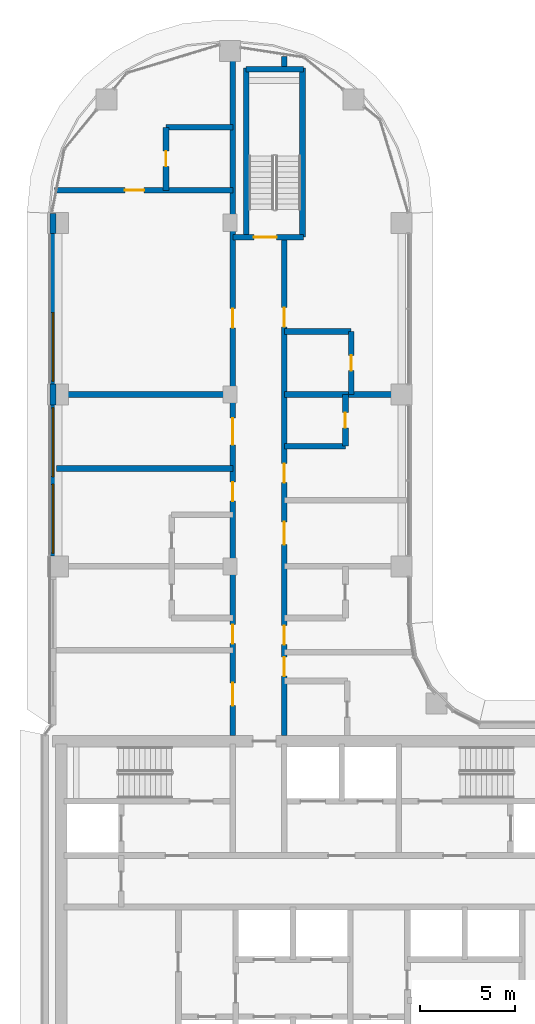
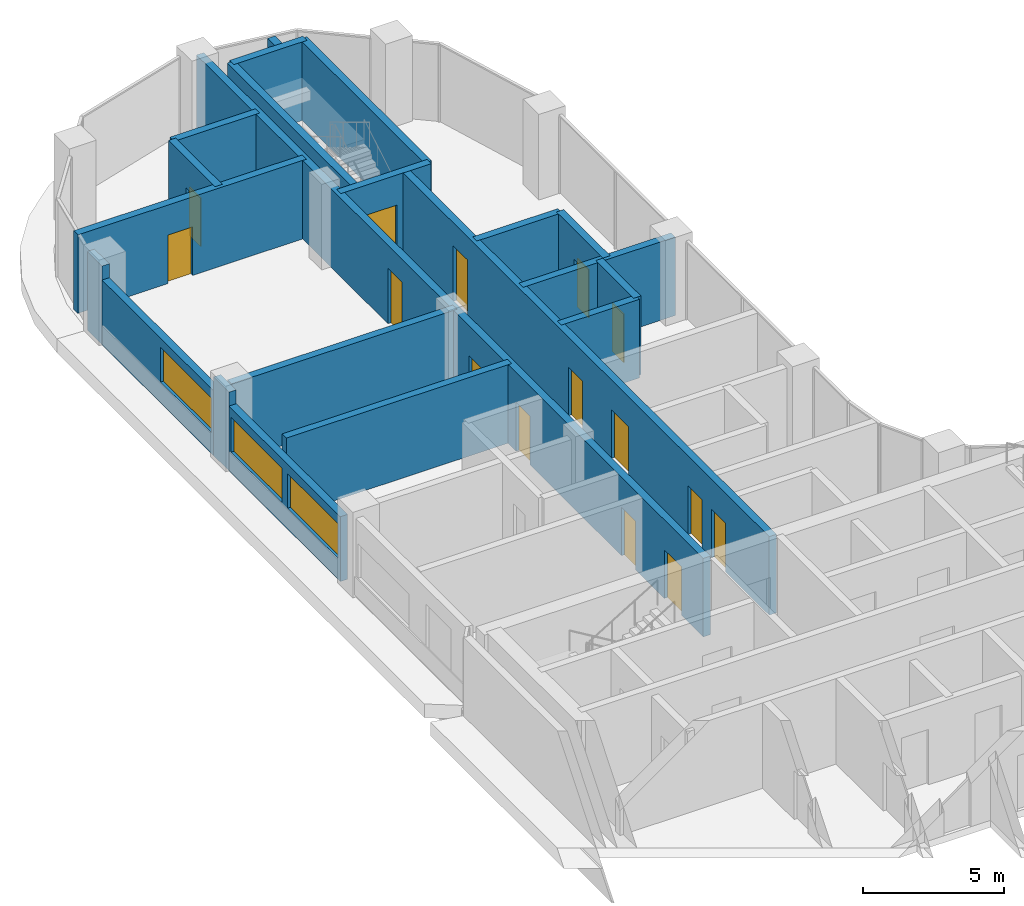
# One storey, part 13 of 24: 21 walls, 15 doors, 3 windows, 18 openings.
"""IFC4 building model written with IfcOpenShell, lengths in metres."""

from ifc_helpers import new_model, si_unit, direction, frame, frame_2d, origin, place, context, subcontext, project, spatial, rectangle, extrude, material, layer, layer_set, type_object, element, fill, save


model = new_model("IFC4")

# Units and contexts
model_context = context("Model", 3, precision=1e-05, world=origin(), true_north=direction((0.0, 1.0)))
body_context = subcontext(model_context, "Body", "Model", "MODEL_VIEW")
ifc_project = project(units=[si_unit("LENGTHUNIT", "METRE"), si_unit("AREAUNIT", "SQUARE_METRE"), si_unit("VOLUMEUNIT", "CUBIC_METRE"), si_unit("PLANEANGLEUNIT", "RADIAN"), si_unit("MASSUNIT", "GRAM", prefix="KILO")], contexts=[model_context])

# Site, building, storey
site_placement = place(None, origin())
site = spatial("IfcSite", under=ifc_project, at=site_placement, CompositionType="ELEMENT")
building_placement = place(site_placement, origin())
building = spatial("IfcBuilding", under=site, at=building_placement, Name="Ogive Portal Towers", CompositionType="ELEMENT")
storey_placement = place(building_placement, frame((0.0, 0.0, 153.300048828125)))
storey = spatial("IfcBuildingStorey", under=building, at=storey_placement, Name="L37", CompositionType="ELEMENT", Elevation=153.300048828125)

# Wall
ifc_material_1 = material(Name="Limestone cladding on lightweight block wall", Category="masonry")
ifc_layer_1 = layer(ifc_material_1, 0.300048828125)
ifc_layer_set_1 = layer_set([ifc_layer_1], Name="EXTERNAL WALL 300 STONE")
wall_type_1 = type_object("IfcWallType", Name="EXTERNAL WALL 300 STONE", PredefinedType="SOLIDWALL", material=ifc_layer_set_1)
wall_1_placement = place(storey_placement, frame((31.22509765625, 66.9921875, 0.0), z_axis=(0.0, 0.0, 1.0), x_axis=(0.0, -1.0, 0.0)))
element("IfcWall", 1, at=wall_1_placement, inside=storey, type_object=wall_type_1, Name="A:L37:f13:r0:wall", PredefinedType="SOLIDWALL", context=body_context, shape_type="SweptSolid", body=[
    extrude(rectangle(XDim=1.042236328125, YDim=0.300048828125, at=frame_2d((0.52099609375, 0.0))), origin(), (0.0, 0.0, 1.0), 3.39990234375),
])

# Wall, opening, window
wall_2_placement = place(storey_placement, frame((31.22509765625, 65.949951171875, 0.0), z_axis=(0.0, 0.0, 1.0), x_axis=(0.0, -1.0, 0.0)))
wall_2 = element("IfcWall", 2, at=wall_2_placement, inside=storey, type_object=wall_type_1, Name="A:L37:f13:r0:wall1", PredefinedType="SOLIDWALL", context=body_context, shape_type="SweptSolid", body=[
    extrude(rectangle(XDim=7.89990234375, YDim=0.300048828125, at=frame_2d((3.949951171875, 0.0))), origin(), (0.0, 0.0, 1.0), 2.800048828125),
])
opening_1_placement = place(wall_2_placement, frame((4.14990234375, 0.0, 0.89990234375)))
opening_1 = element("IfcOpeningElement", 3, at=opening_1_placement, cuts=wall_2, Name="Opening WN12", PredefinedType="OPENING", context=body_context, shape_type="SweptSolid", body=[
    extrude(rectangle(XDim=3.60009765625, YDim=1.5, at=frame_2d((1.800048828125, 0.75))), frame((0.0, 0.16015625, 0.0), z_axis=(0.0, -1.0, 0.0), x_axis=(1.0, 0.0, 0.0)), (0.0, 0.0, 1.0), 0.320068359375),
])
ifc_material_2 = material(Name="Glass, clear low-iron insulated glazing", Category="glass")
window_type = type_object("IfcWindowType", Name="WINDOW RIBBON 3600x1500", PartitioningType="TRIPLE_PANEL_VERTICAL", PredefinedType="WINDOW", material=ifc_material_2)
window_1_placement = place(opening_1_placement, origin())
window_1 = element("IfcWindow", 4, at=window_1_placement, inside=storey, type_object=window_type, Name="A:L37:f13:r0:w1", OverallHeight=1.5, OverallWidth=3.60009765625, PartitioningType="SINGLE_PANEL", PredefinedType="WINDOW", context=body_context, shape_type="SweptSolid", body=[
    extrude(rectangle(XDim=3.60009765625, YDim=1.5, at=frame_2d((1.800048828125, 0.75))), frame((0.0, 0.030029296875, 0.0), z_axis=(0.0, -1.0, 0.0), x_axis=(1.0, 0.0, 0.0)), (0.0, 0.0, 1.0), 0.06005859375),
])
fill(opening_1, window_1)

# Wall
wall_3_placement = place(storey_placement, frame((31.22509765625, 58.050048828125, 0.0), z_axis=(0.0, 0.0, 1.0), x_axis=(0.0, -1.0, 0.0)))
element("IfcWall", 5, at=wall_3_placement, inside=storey, type_object=wall_type_1, Name="A:L37:f13:r0:wall2", PredefinedType="SOLIDWALL", context=body_context, shape_type="SweptSolid", body=[
    extrude(rectangle(XDim=1.10009765625, YDim=0.300048828125, at=frame_2d((0.550048828125, 0.0))), origin(), (0.0, 0.0, 1.0), 3.39990234375),
])

# Wall, openings, windows
wall_4_placement = place(storey_placement, frame((31.22509765625, 56.949951171875, 0.0), z_axis=(0.0, 0.0, 1.0), x_axis=(0.0, -1.0, 0.0)))
wall_4 = element("IfcWall", 6, at=wall_4_placement, inside=storey, type_object=wall_type_1, Name="A:L37:f13:r0:wall3", PredefinedType="SOLIDWALL", context=body_context, shape_type="SweptSolid", body=[
    extrude(rectangle(XDim=7.89990234375, YDim=0.300048828125, at=frame_2d((3.949951171875, 0.0))), origin(), (0.0, 0.0, 1.0), 2.800048828125),
])
opening_2_placement = place(wall_4_placement, frame((0.14990234375, 0.0, 0.89990234375)))
opening_2 = element("IfcOpeningElement", 7, at=opening_2_placement, cuts=wall_4, Name="Opening WN12", PredefinedType="OPENING", context=body_context, shape_type="SweptSolid", body=[
    extrude(rectangle(XDim=3.60009765625, YDim=1.5, at=frame_2d((1.800048828125, 0.75))), frame((0.0, 0.16015625, 0.0), z_axis=(0.0, -1.0, 0.0), x_axis=(1.0, 0.0, 0.0)), (0.0, 0.0, 1.0), 0.320068359375),
])
opening_3_placement = place(wall_4_placement, frame((4.14990234375, 0.0, 0.89990234375)))
opening_3 = element("IfcOpeningElement", 8, at=opening_3_placement, cuts=wall_4, Name="Opening WN12", PredefinedType="OPENING", context=body_context, shape_type="SweptSolid", body=[
    extrude(rectangle(XDim=3.60009765625, YDim=1.5, at=frame_2d((1.800048828125, 0.75))), frame((0.0, 0.16015625, 0.0), z_axis=(0.0, -1.0, 0.0), x_axis=(1.0, 0.0, 0.0)), (0.0, 0.0, 1.0), 0.320068359375),
])
window_2_placement = place(opening_2_placement, origin())
window_2 = element("IfcWindow", 9, at=window_2_placement, inside=storey, type_object=window_type, Name="A:L37:f13:r0:w2", OverallHeight=1.5, OverallWidth=3.60009765625, PartitioningType="SINGLE_PANEL", PredefinedType="WINDOW", context=body_context, shape_type="SweptSolid", body=[
    extrude(rectangle(XDim=3.60009765625, YDim=1.5, at=frame_2d((1.800048828125, 0.75))), frame((0.0, 0.030029296875, 0.0), z_axis=(0.0, -1.0, 0.0), x_axis=(1.0, 0.0, 0.0)), (0.0, 0.0, 1.0), 0.06005859375),
])
fill(opening_2, window_2)
window_3_placement = place(opening_3_placement, origin())
window_3 = element("IfcWindow", 10, at=window_3_placement, inside=storey, type_object=window_type, Name="A:L37:f13:r0:w3", OverallHeight=1.5, OverallWidth=3.60009765625, PartitioningType="SINGLE_PANEL", PredefinedType="WINDOW", context=body_context, shape_type="SweptSolid", body=[
    extrude(rectangle(XDim=3.60009765625, YDim=1.5, at=frame_2d((1.800048828125, 0.75))), frame((0.0, 0.030029296875, 0.0), z_axis=(0.0, -1.0, 0.0), x_axis=(1.0, 0.0, 0.0)), (0.0, 0.0, 1.0), 0.06005859375),
])
fill(opening_3, window_3)

# Wall, opening, door
ifc_material_3 = material(Name="Concrete C50/60", Category="concrete")
ifc_layer_2 = layer(ifc_material_3, 0.300048828125)
ifc_layer_set_2 = layer_set([ifc_layer_2], Name="STAIR WALL 300 C50")
wall_type_2 = type_object("IfcWallType", Name="STAIR WALL 300 C50", PredefinedType="SHEAR", material=ifc_layer_set_2)
wall_5_placement = place(storey_placement, frame((40.64990234375, 65.75, 0.0), z_axis=(0.0, 0.0, 1.0), x_axis=(1.0, 0.0, 0.0)))
wall_5 = element("IfcWall", 11, at=wall_5_placement, inside=storey, type_object=wall_type_2, Name="Stair wall ST-A3 L37", PredefinedType="SHEAR", context=body_context, shape_type="SweptSolid", body=[
    extrude(rectangle(XDim=3.7001953125, YDim=0.300048828125, at=frame_2d((1.85009765625, 0.0))), origin(), (0.0, 0.0, 1.0), 3.39990234375),
])
opening_4_placement = place(wall_5_placement, frame((1.10009765625, 0.0, 0.0)))
opening_4 = element("IfcOpeningElement", 12, at=opening_4_placement, cuts=wall_5, Name="Opening D15-053", PredefinedType="OPENING", context=body_context, shape_type="SweptSolid", body=[
    extrude(rectangle(XDim=1.199951171875, YDim=2.10009765625, at=frame_2d((0.60009765625, 1.050048828125))), frame((0.0, 0.16015625, 0.0), z_axis=(0.0, -1.0, 0.0), x_axis=(1.0, 0.0, 0.0)), (0.0, 0.0, 1.0), 0.320068359375),
])
ifc_material_4 = material(Name="Steel fire door", Category="steel")
door_type_1 = type_object("IfcDoorType", Name="DT-STAIR-1200x2100-FD90S", OperationType="SINGLE_SWING_LEFT", PredefinedType="DOOR", material=ifc_material_4)
door_1_placement = place(opening_4_placement, origin())
door_1 = element("IfcDoor", 13, at=door_1_placement, inside=storey, type_object=door_type_1, Name="Door D15-053", OperationType="SINGLE_SWING_RIGHT", OverallHeight=2.10009765625, OverallWidth=1.199951171875, PredefinedType="DOOR", context=body_context, shape_type="SweptSolid", body=[
    extrude(rectangle(XDim=1.199951171875, YDim=2.10009765625, at=frame_2d((0.60009765625, 1.050048828125))), frame((0.0, 0.02490234375, 0.0), z_axis=(0.0, -1.0, 0.0), x_axis=(1.0, 0.0, 0.0)), (0.0, 0.0, 1.0), 0.050048828125),
])
fill(opening_4, door_1)

# Walls
wall_6_placement = place(storey_placement, frame((41.35009765625, 74.550048828125, 0.0), z_axis=(0.0, 0.0, 1.0), x_axis=(1.0, 0.0, 0.0)))
element("IfcWall", 14, at=wall_6_placement, inside=storey, type_object=wall_type_2, Name="Stair wall ST-A3 L37", PredefinedType="SHEAR", context=body_context, shape_type="SweptSolid", body=[
    extrude(rectangle(XDim=3.0, YDim=0.300048828125, at=frame_2d((1.5, 0.0))), origin(), (0.0, 0.0, 1.0), 3.39990234375),
])
for number, where, z_axis, x_axis, name in (
    (15, (41.35009765625, 65.75, 0.0), (0.0, 0.0, 1.0), (0.0, 1.0, 0.0), "Stair wall ST-A3 L37"),
    (16, (44.300048828125, 65.75, 0.0), (0.0, 0.0, 1.0), (0.0, 1.0, 0.0), "Stair wall ST-A3 L37"),
):
    element("IfcWall", number, at=place(storey_placement, frame(where, z_axis=z_axis, x_axis=x_axis)), inside=storey, type_object=wall_type_2, Name=name, PredefinedType="SHEAR", context=body_context, shape_type="SweptSolid", body=[
        extrude(rectangle(XDim=8.85009765625, YDim=0.300048828125, at=frame_2d((4.425048828125, 0.0))), origin(), (0.0, 0.0, 1.0), 3.39990234375),
    ])
ifc_material_5 = material(Name="Gypsum board partition on steel studs", Category="steel")
ifc_layer_3 = layer(ifc_material_5, 0.300048828125)
ifc_layer_set_3 = layer_set([ifc_layer_3], Name="WT-PART-300-EI 60")
wall_type_3 = type_object("IfcWallType", Name="WT-PART-300-EI 60", PredefinedType="PARTITIONING", material=ifc_layer_set_3)
wall_7_placement = place(storey_placement, frame((31.425048828125, 53.6298828125, 0.0), z_axis=(0.0, 0.0, 1.0), x_axis=(1.0, 0.0, 0.0)))
element("IfcWall", 17, at=wall_7_placement, inside=storey, type_object=wall_type_3, Name="Wall L37:w018", PredefinedType="PARTITIONING", context=body_context, shape_type="SweptSolid", body=[
    extrude(rectangle(XDim=9.224853515625, YDim=0.300048828125, at=frame_2d((4.6123046875, 0.0))), origin(), (0.0, 0.0, 1.0), 3.39990234375),
])
wall_8_placement = place(storey_placement, frame((43.35009765625, 54.800048828125, 0.0), z_axis=(0.0, 0.0, 1.0), x_axis=(1.0, 0.0, 0.0)))
element("IfcWall", 18, at=wall_8_placement, inside=storey, type_object=wall_type_3, Name="Wall L37:w019", PredefinedType="PARTITIONING", context=body_context, shape_type="SweptSolid", body=[
    extrude(rectangle(XDim=3.199951171875, YDim=0.300048828125, at=frame_2d((1.60009765625, 0.0))), origin(), (0.0, 0.0, 1.0), 3.39990234375),
])
wall_9_placement = place(storey_placement, frame((31.425048828125, 57.5, 0.0), z_axis=(0.0, 0.0, 1.0), x_axis=(1.0, 0.0, 0.0)))
element("IfcWall", 19, at=wall_9_placement, inside=storey, type_object=wall_type_3, Name="Wall L37:w020", PredefinedType="PARTITIONING", context=body_context, shape_type="SweptSolid", body=[
    extrude(rectangle(XDim=9.224853515625, YDim=0.300048828125, at=frame_2d((4.6123046875, 0.0))), origin(), (0.0, 0.0, 1.0), 3.39990234375),
])
wall_10_placement = place(storey_placement, frame((43.35009765625, 57.5, 0.0), z_axis=(0.0, 0.0, 1.0), x_axis=(1.0, 0.0, 0.0)))
element("IfcWall", 20, at=wall_10_placement, inside=storey, type_object=wall_type_3, Name="Wall L37:w021", PredefinedType="PARTITIONING", context=body_context, shape_type="SweptSolid", body=[
    extrude(rectangle(XDim=6.224853515625, YDim=0.300048828125, at=frame_2d((3.1123046875, 0.0))), origin(), (0.0, 0.0, 1.0), 3.39990234375),
])
wall_11_placement = place(storey_placement, frame((43.35009765625, 60.800048828125, 0.0), z_axis=(0.0, 0.0, 1.0), x_axis=(1.0, 0.0, 0.0)))
element("IfcWall", 21, at=wall_11_placement, inside=storey, type_object=wall_type_3, Name="Wall L37:w022", PredefinedType="PARTITIONING", context=body_context, shape_type="SweptSolid", body=[
    extrude(rectangle(XDim=3.5, YDim=0.300048828125, at=frame_2d((1.75, 0.0))), origin(), (0.0, 0.0, 1.0), 3.39990234375),
])

# Wall, opening, door
wall_12_placement = place(storey_placement, frame((31.303955078125, 68.199951171875, 0.0), z_axis=(0.0, 0.0, 1.0), x_axis=(1.0, 0.0, 0.0)))
wall_12 = element("IfcWall", 22, at=wall_12_placement, inside=storey, type_object=wall_type_3, Name="Wall L37:w024", PredefinedType="PARTITIONING", context=body_context, shape_type="SweptSolid", body=[
    extrude(rectangle(XDim=9.345947265625, YDim=0.300048828125, at=frame_2d((4.6728515625, 0.0))), origin(), (0.0, 0.0, 1.0), 3.39990234375),
])
opening_5_placement = place(wall_12_placement, frame((3.696044921875, 0.0, 0.0)))
opening_5 = element("IfcOpeningElement", 23, at=opening_5_placement, cuts=wall_12, Name="Opening D15-047", PredefinedType="OPENING", context=body_context, shape_type="SweptSolid", body=[
    extrude(rectangle(XDim=1.0, YDim=2.10009765625, at=frame_2d((0.5, 1.050048828125))), frame((0.0, 0.16015625, 0.0), z_axis=(0.0, -1.0, 0.0), x_axis=(1.0, 0.0, 0.0)), (0.0, 0.0, 1.0), 0.320068359375),
])
door_type_2 = type_object("IfcDoorType", Name="DT-ENTRY-1000x2100-FD60S", OperationType="SINGLE_SWING_LEFT", PredefinedType="DOOR", material=ifc_material_4)
door_2_placement = place(opening_5_placement, origin())
door_2 = element("IfcDoor", 24, at=door_2_placement, inside=storey, type_object=door_type_2, Name="Door D15-047", OperationType="SINGLE_SWING_LEFT", OverallHeight=2.10009765625, OverallWidth=1.0, PredefinedType="DOOR", context=body_context, shape_type="SweptSolid", body=[
    extrude(rectangle(XDim=1.0, YDim=2.10009765625, at=frame_2d((0.5, 1.050048828125))), frame((0.0, 0.02490234375, 0.0), z_axis=(0.0, -1.0, 0.0), x_axis=(1.0, 0.0, 0.0)), (0.0, 0.0, 1.0), 0.050048828125),
])
fill(opening_5, door_2)

# Wall
wall_13_placement = place(storey_placement, frame((37.14990234375, 71.5, 0.0), z_axis=(0.0, 0.0, 1.0), x_axis=(1.0, 0.0, 0.0)))
element("IfcWall", 25, at=wall_13_placement, inside=storey, type_object=wall_type_3, Name="Wall L37:w025", PredefinedType="PARTITIONING", context=body_context, shape_type="SweptSolid", body=[
    extrude(rectangle(XDim=3.5, YDim=0.300048828125, at=frame_2d((1.75, 0.0))), origin(), (0.0, 0.0, 1.0), 3.39990234375),
])

# Wall, opening, door
wall_14_placement = place(storey_placement, frame((37.14990234375, 68.199951171875, 0.0), z_axis=(0.0, 0.0, 1.0), x_axis=(0.0, 1.0, 0.0)))
wall_14 = element("IfcWall", 26, at=wall_14_placement, inside=storey, type_object=wall_type_3, Name="Wall L37:w027", PredefinedType="PARTITIONING", context=body_context, shape_type="SweptSolid", body=[
    extrude(rectangle(XDim=3.300048828125, YDim=0.300048828125, at=frame_2d((1.64990234375, 0.0))), origin(), (0.0, 0.0, 1.0), 3.39990234375),
])
opening_6_placement = place(wall_14_placement, frame((1.25, 0.0, 0.0)))
opening_6 = element("IfcOpeningElement", 27, at=opening_6_placement, cuts=wall_14, Name="Opening D15-048", PredefinedType="OPENING", context=body_context, shape_type="SweptSolid", body=[
    extrude(rectangle(XDim=0.800048828125, YDim=2.10009765625, at=frame_2d((0.39990234375, 1.050048828125))), frame((0.0, 0.16015625, 0.0), z_axis=(0.0, -1.0, 0.0), x_axis=(1.0, 0.0, 0.0)), (0.0, 0.0, 1.0), 0.320068359375),
])
door_type_3 = type_object("IfcDoorType", Name="DT-BATH-800x2100-FD60S", OperationType="SINGLE_SWING_LEFT", PredefinedType="DOOR", material=ifc_material_4)
door_3_placement = place(opening_6_placement, origin())
door_3 = element("IfcDoor", 28, at=door_3_placement, inside=storey, type_object=door_type_3, Name="Door D15-048", OperationType="SINGLE_SWING_LEFT", OverallHeight=2.10009765625, OverallWidth=0.800048828125, PredefinedType="DOOR", context=body_context, shape_type="SweptSolid", body=[
    extrude(rectangle(XDim=0.800048828125, YDim=2.10009765625, at=frame_2d((0.39990234375, 1.050048828125))), frame((0.0, 0.02490234375, 0.0), z_axis=(0.0, -1.0, 0.0), x_axis=(1.0, 0.0, 0.0)), (0.0, 0.0, 1.0), 0.050048828125),
])
fill(opening_6, door_3)

# Wall, openings, doors
wall_15_placement = place(storey_placement, frame((40.64990234375, 39.64990234375, 0.0), z_axis=(0.0, 0.0, 1.0), x_axis=(0.0, 1.0, 0.0)))
wall_15 = element("IfcWall", 29, at=wall_15_placement, inside=storey, type_object=wall_type_3, Name="Wall L37:w029", PredefinedType="PARTITIONING", context=body_context, shape_type="SweptSolid", body=[
    extrude(rectangle(XDim=35.925048828125, YDim=0.300048828125, at=frame_2d((17.96240234375, 0.0))), origin(), (0.0, 0.0, 1.0), 3.39990234375),
])
opening_7_placement = place(wall_15_placement, frame((1.550048828125, 0.0, 0.0)))
opening_7 = element("IfcOpeningElement", 30, at=opening_7_placement, cuts=wall_15, Name="Opening D15-035", PredefinedType="OPENING", context=body_context, shape_type="SweptSolid", body=[
    extrude(rectangle(XDim=1.199951171875, YDim=2.10009765625, at=frame_2d((0.60009765625, 1.050048828125))), frame((0.0, 0.16015625, 0.0), z_axis=(0.0, -1.0, 0.0), x_axis=(1.0, 0.0, 0.0)), (0.0, 0.0, 1.0), 0.320068359375),
])
opening_8_placement = place(wall_15_placement, frame((4.800048828125, 0.0, 0.0)))
opening_8 = element("IfcOpeningElement", 31, at=opening_8_placement, cuts=wall_15, Name="Opening D15-037", PredefinedType="OPENING", context=body_context, shape_type="SweptSolid", body=[
    extrude(rectangle(XDim=1.0, YDim=2.10009765625, at=frame_2d((0.5, 1.050048828125))), frame((0.0, 0.16015625, 0.0), z_axis=(0.0, -1.0, 0.0), x_axis=(1.0, 0.0, 0.0)), (0.0, 0.0, 1.0), 0.320068359375),
])
opening_9_placement = place(wall_15_placement, frame((12.264892578125, 0.0, 0.0)))
opening_9 = element("IfcOpeningElement", 32, at=opening_9_placement, cuts=wall_15, Name="Opening D15-042", PredefinedType="OPENING", context=body_context, shape_type="SweptSolid", body=[
    extrude(rectangle(XDim=1.0, YDim=2.10009765625, at=frame_2d((0.5, 1.050048828125))), frame((0.0, 0.16015625, 0.0), z_axis=(0.0, -1.0, 0.0), x_axis=(1.0, 0.0, 0.0)), (0.0, 0.0, 1.0), 0.320068359375),
])
opening_10_placement = place(wall_15_placement, frame((15.215087890625, 0.0, 0.0)))
opening_10 = element("IfcOpeningElement", 33, at=opening_10_placement, cuts=wall_15, Name="Opening D15-043", PredefinedType="OPENING", context=body_context, shape_type="SweptSolid", body=[
    extrude(rectangle(XDim=1.39990234375, YDim=2.10009765625, at=frame_2d((0.699951171875, 1.050048828125))), frame((0.0, 0.16015625, 0.0), z_axis=(0.0, -1.0, 0.0), x_axis=(1.0, 0.0, 0.0)), (0.0, 0.0, 1.0), 0.320068359375),
])
opening_11_placement = place(wall_15_placement, frame((21.35009765625, 0.0, 0.0)))
opening_11 = element("IfcOpeningElement", 34, at=opening_11_placement, cuts=wall_15, Name="Opening D15-046", PredefinedType="OPENING", context=body_context, shape_type="SweptSolid", body=[
    extrude(rectangle(XDim=1.0, YDim=2.39990234375, at=frame_2d((0.5, 1.199951171875))), frame((0.0, 0.16015625, 0.0), z_axis=(0.0, -1.0, 0.0), x_axis=(1.0, 0.0, 0.0)), (0.0, 0.0, 1.0), 0.320068359375),
])
door_4_placement = place(opening_8_placement, origin())
door_4 = element("IfcDoor", 35, at=door_4_placement, inside=storey, type_object=door_type_2, Name="Door D15-037", OperationType="SINGLE_SWING_LEFT", OverallHeight=2.10009765625, OverallWidth=1.0, PredefinedType="DOOR", context=body_context, shape_type="SweptSolid", body=[
    extrude(rectangle(XDim=1.0, YDim=2.10009765625, at=frame_2d((0.5, 1.050048828125))), frame((0.0, 0.02490234375, 0.0), z_axis=(0.0, -1.0, 0.0), x_axis=(1.0, 0.0, 0.0)), (0.0, 0.0, 1.0), 0.050048828125),
])
fill(opening_8, door_4)
door_5_placement = place(opening_9_placement, origin())
door_5 = element("IfcDoor", 36, at=door_5_placement, inside=storey, type_object=door_type_2, Name="Door D15-042", OperationType="SINGLE_SWING_LEFT", OverallHeight=2.10009765625, OverallWidth=1.0, PredefinedType="DOOR", context=body_context, shape_type="SweptSolid", body=[
    extrude(rectangle(XDim=1.0, YDim=2.10009765625, at=frame_2d((0.5, 1.050048828125))), frame((0.0, 0.02490234375, 0.0), z_axis=(0.0, -1.0, 0.0), x_axis=(1.0, 0.0, 0.0)), (0.0, 0.0, 1.0), 0.050048828125),
])
fill(opening_9, door_5)
door_type_4 = type_object("IfcDoorType", Name="DT-ENTRY-1000x2400-FD60S", OperationType="SINGLE_SWING_LEFT", PredefinedType="DOOR", material=ifc_material_4)
door_6_placement = place(opening_11_placement, origin())
door_6 = element("IfcDoor", 37, at=door_6_placement, inside=storey, type_object=door_type_4, Name="Door D15-046", OperationType="SINGLE_SWING_RIGHT", OverallHeight=2.39990234375, OverallWidth=1.0, PredefinedType="DOOR", context=body_context, shape_type="SweptSolid", body=[
    extrude(rectangle(XDim=1.0, YDim=2.39990234375, at=frame_2d((0.5, 1.199951171875))), frame((0.0, 0.02490234375, 0.0), z_axis=(0.0, -1.0, 0.0), x_axis=(1.0, 0.0, 0.0)), (0.0, 0.0, 1.0), 0.050048828125),
])
fill(opening_11, door_6)
door_type_5 = type_object("IfcDoorType", Name="DT-ENTRY-1200x2100-FD60S", OperationType="SINGLE_SWING_LEFT", PredefinedType="DOOR", material=ifc_material_4)
door_7_placement = place(opening_7_placement, origin())
door_7 = element("IfcDoor", 38, at=door_7_placement, inside=storey, type_object=door_type_5, Name="Door D15-035", OperationType="SINGLE_SWING_LEFT", OverallHeight=2.10009765625, OverallWidth=1.199951171875, PredefinedType="DOOR", context=body_context, shape_type="SweptSolid", body=[
    extrude(rectangle(XDim=1.199951171875, YDim=2.10009765625, at=frame_2d((0.60009765625, 1.050048828125))), frame((0.0, 0.02490234375, 0.0), z_axis=(0.0, -1.0, 0.0), x_axis=(1.0, 0.0, 0.0)), (0.0, 0.0, 1.0), 0.050048828125),
])
fill(opening_7, door_7)
door_type_6 = type_object("IfcDoorType", Name="DT-ENTRY-1400x2100-FD60S", OperationType="SINGLE_SWING_LEFT", PredefinedType="DOOR", material=ifc_material_4)
door_8_placement = place(opening_10_placement, origin())
door_8 = element("IfcDoor", 39, at=door_8_placement, inside=storey, type_object=door_type_6, Name="Door D15-043", OperationType="SINGLE_SWING_RIGHT", OverallHeight=2.10009765625, OverallWidth=1.39990234375, PredefinedType="DOOR", context=body_context, shape_type="SweptSolid", body=[
    extrude(rectangle(XDim=1.39990234375, YDim=2.10009765625, at=frame_2d((0.699951171875, 1.050048828125))), frame((0.0, 0.02490234375, 0.0), z_axis=(0.0, -1.0, 0.0), x_axis=(1.0, 0.0, 0.0)), (0.0, 0.0, 1.0), 0.050048828125),
])
fill(opening_10, door_8)

# Wall, opening, door
wall_16_placement = place(storey_placement, frame((46.550048828125, 54.800048828125, 0.0), z_axis=(0.0, 0.0, 1.0), x_axis=(0.0, 1.0, 0.0)))
wall_16 = element("IfcWall", 40, at=wall_16_placement, inside=storey, type_object=wall_type_3, Name="Wall L37:w035", PredefinedType="PARTITIONING", context=body_context, shape_type="SweptSolid", body=[
    extrude(rectangle(XDim=2.699951171875, YDim=0.300048828125, at=frame_2d((1.35009765625, 0.0))), origin(), (0.0, 0.0, 1.0), 3.39990234375),
])
opening_12_placement = place(wall_16_placement, frame((0.949951171875, 0.0, 0.0)))
opening_12 = element("IfcOpeningElement", 41, at=opening_12_placement, cuts=wall_16, Name="Opening D15-039", PredefinedType="OPENING", context=body_context, shape_type="SweptSolid", body=[
    extrude(rectangle(XDim=0.800048828125, YDim=2.10009765625, at=frame_2d((0.39990234375, 1.050048828125))), frame((0.0, 0.16015625, 0.0), z_axis=(0.0, -1.0, 0.0), x_axis=(1.0, 0.0, 0.0)), (0.0, 0.0, 1.0), 0.320068359375),
])
door_9_placement = place(opening_12_placement, origin())
door_9 = element("IfcDoor", 42, at=door_9_placement, inside=storey, type_object=door_type_3, Name="Door D15-039", OperationType="SINGLE_SWING_RIGHT", OverallHeight=2.10009765625, OverallWidth=0.800048828125, PredefinedType="DOOR", context=body_context, shape_type="SweptSolid", body=[
    extrude(rectangle(XDim=0.800048828125, YDim=2.10009765625, at=frame_2d((0.39990234375, 1.050048828125))), frame((0.0, 0.02490234375, 0.0), z_axis=(0.0, -1.0, 0.0), x_axis=(1.0, 0.0, 0.0)), (0.0, 0.0, 1.0), 0.050048828125),
])
fill(opening_12, door_9)

wall_17_placement = place(storey_placement, frame((46.85009765625, 57.5, 0.0), z_axis=(0.0, 0.0, 1.0), x_axis=(0.0, 1.0, 0.0)))
wall_17 = element("IfcWall", 43, at=wall_17_placement, inside=storey, type_object=wall_type_3, Name="Wall L37:w037", PredefinedType="PARTITIONING", context=body_context, shape_type="SweptSolid", body=[
    extrude(rectangle(XDim=3.300048828125, YDim=0.300048828125, at=frame_2d((1.64990234375, 0.0))), origin(), (0.0, 0.0, 1.0), 3.39990234375),
])
opening_13_placement = place(wall_17_placement, frame((1.25, 0.0, 0.0)))
opening_13 = element("IfcOpeningElement", 44, at=opening_13_placement, cuts=wall_17, Name="Opening D15-044", PredefinedType="OPENING", context=body_context, shape_type="SweptSolid", body=[
    extrude(rectangle(XDim=0.800048828125, YDim=2.10009765625, at=frame_2d((0.39990234375, 1.050048828125))), frame((0.0, 0.16015625, 0.0), z_axis=(0.0, -1.0, 0.0), x_axis=(1.0, 0.0, 0.0)), (0.0, 0.0, 1.0), 0.320068359375),
])
door_10_placement = place(opening_13_placement, origin())
door_10 = element("IfcDoor", 45, at=door_10_placement, inside=storey, type_object=door_type_3, Name="Door D15-044", OperationType="SINGLE_SWING_LEFT", OverallHeight=2.10009765625, OverallWidth=0.800048828125, PredefinedType="DOOR", context=body_context, shape_type="SweptSolid", body=[
    extrude(rectangle(XDim=0.800048828125, YDim=2.10009765625, at=frame_2d((0.39990234375, 1.050048828125))), frame((0.0, 0.02490234375, 0.0), z_axis=(0.0, -1.0, 0.0), x_axis=(1.0, 0.0, 0.0)), (0.0, 0.0, 1.0), 0.050048828125),
])
fill(opening_13, door_10)

# Wall, openings, doors
ifc_material_6 = material(Name="Concrete C40/50", Category="concrete")
ifc_layer_4 = layer(ifc_material_6, 0.300048828125)
ifc_layer_set_4 = layer_set([ifc_layer_4], Name="WT-SHAFT-300")
wall_type_4 = type_object("IfcWallType", Name="WT-SHAFT-300", PredefinedType="SOLIDWALL", material=ifc_layer_set_4)
wall_18_placement = place(storey_placement, frame((43.35009765625, 39.64990234375, 0.0), z_axis=(0.0, 0.0, 1.0), x_axis=(0.0, 1.0, 0.0)))
wall_18 = element("IfcWall", 46, at=wall_18_placement, inside=storey, type_object=wall_type_4, Name="Wall L37:w031", PredefinedType="SOLIDWALL", context=body_context, shape_type="SweptSolid", body=[
    extrude(rectangle(XDim=26.150146484375, YDim=0.300048828125, at=frame_2d((13.0751953125, 0.0))), origin(), (0.0, 0.0, 1.0), 3.39990234375),
])
opening_14_placement = place(wall_18_placement, frame((3.10009765625, 0.0, 0.0)))
opening_14 = element("IfcOpeningElement", 47, at=opening_14_placement, cuts=wall_18, Name="Opening D15-032", PredefinedType="OPENING", context=body_context, shape_type="SweptSolid", body=[
    extrude(rectangle(XDim=1.0, YDim=2.10009765625, at=frame_2d((0.5, 1.050048828125))), frame((0.0, 0.16015625, 0.0), z_axis=(0.0, -1.0, 0.0), x_axis=(1.0, 0.0, 0.0)), (0.0, 0.0, 1.0), 0.320068359375),
])
opening_15_placement = place(wall_18_placement, frame((4.75, 0.0, 0.0)))
opening_15 = element("IfcOpeningElement", 48, at=opening_15_placement, cuts=wall_18, Name="Opening D15-034", PredefinedType="OPENING", context=body_context, shape_type="SweptSolid", body=[
    extrude(rectangle(XDim=1.0, YDim=2.10009765625, at=frame_2d((0.5, 1.050048828125))), frame((0.0, 0.16015625, 0.0), z_axis=(0.0, -1.0, 0.0), x_axis=(1.0, 0.0, 0.0)), (0.0, 0.0, 1.0), 0.320068359375),
])
opening_16_placement = place(wall_18_placement, frame((9.985107421875, 0.0, 0.0)))
opening_16 = element("IfcOpeningElement", 49, at=opening_16_placement, cuts=wall_18, Name="Opening D15-038", PredefinedType="OPENING", context=body_context, shape_type="SweptSolid", body=[
    extrude(rectangle(XDim=1.199951171875, YDim=2.10009765625, at=frame_2d((0.60009765625, 1.050048828125))), frame((0.0, 0.16015625, 0.0), z_axis=(0.0, -1.0, 0.0), x_axis=(1.0, 0.0, 0.0)), (0.0, 0.0, 1.0), 0.320068359375),
])
opening_17_placement = place(wall_18_placement, frame((13.235107421875, 0.0, 0.0)))
opening_17 = element("IfcOpeningElement", 50, at=opening_17_placement, cuts=wall_18, Name="Opening D15-040", PredefinedType="OPENING", context=body_context, shape_type="SweptSolid", body=[
    extrude(rectangle(XDim=1.0, YDim=2.10009765625, at=frame_2d((0.5, 1.050048828125))), frame((0.0, 0.16015625, 0.0), z_axis=(0.0, -1.0, 0.0), x_axis=(1.0, 0.0, 0.0)), (0.0, 0.0, 1.0), 0.320068359375),
])
opening_18_placement = place(wall_18_placement, frame((21.39990234375, 0.0, 0.0)))
opening_18 = element("IfcOpeningElement", 51, at=opening_18_placement, cuts=wall_18, Name="Opening D15-045", PredefinedType="OPENING", context=body_context, shape_type="SweptSolid", body=[
    extrude(rectangle(XDim=1.0, YDim=2.39990234375, at=frame_2d((0.5, 1.199951171875))), frame((0.0, 0.16015625, 0.0), z_axis=(0.0, -1.0, 0.0), x_axis=(1.0, 0.0, 0.0)), (0.0, 0.0, 1.0), 0.320068359375),
])
door_type_7 = type_object("IfcDoorType", Name="DT-ENTRY-1000x2100-FD90S", OperationType="SINGLE_SWING_LEFT", PredefinedType="DOOR", material=ifc_material_4)
door_11_placement = place(opening_14_placement, origin())
door_11 = element("IfcDoor", 52, at=door_11_placement, inside=storey, type_object=door_type_7, Name="Door D15-032", OperationType="SINGLE_SWING_RIGHT", OverallHeight=2.10009765625, OverallWidth=1.0, PredefinedType="DOOR", context=body_context, shape_type="SweptSolid", body=[
    extrude(rectangle(XDim=1.0, YDim=2.10009765625, at=frame_2d((0.5, 1.050048828125))), frame((0.0, 0.02490234375, 0.0), z_axis=(0.0, -1.0, 0.0), x_axis=(1.0, 0.0, 0.0)), (0.0, 0.0, 1.0), 0.050048828125),
])
fill(opening_14, door_11)
door_12_placement = place(opening_15_placement, origin())
door_12 = element("IfcDoor", 53, at=door_12_placement, inside=storey, type_object=door_type_7, Name="Door D15-034", OperationType="SINGLE_SWING_LEFT", OverallHeight=2.10009765625, OverallWidth=1.0, PredefinedType="DOOR", context=body_context, shape_type="SweptSolid", body=[
    extrude(rectangle(XDim=1.0, YDim=2.10009765625, at=frame_2d((0.5, 1.050048828125))), frame((0.0, 0.02490234375, 0.0), z_axis=(0.0, -1.0, 0.0), x_axis=(1.0, 0.0, 0.0)), (0.0, 0.0, 1.0), 0.050048828125),
])
fill(opening_15, door_12)
door_13_placement = place(opening_17_placement, origin())
door_13 = element("IfcDoor", 54, at=door_13_placement, inside=storey, type_object=door_type_7, Name="Door D15-040", OperationType="SINGLE_SWING_LEFT", OverallHeight=2.10009765625, OverallWidth=1.0, PredefinedType="DOOR", context=body_context, shape_type="SweptSolid", body=[
    extrude(rectangle(XDim=1.0, YDim=2.10009765625, at=frame_2d((0.5, 1.050048828125))), frame((0.0, 0.02490234375, 0.0), z_axis=(0.0, -1.0, 0.0), x_axis=(1.0, 0.0, 0.0)), (0.0, 0.0, 1.0), 0.050048828125),
])
fill(opening_17, door_13)
door_type_8 = type_object("IfcDoorType", Name="DT-ENTRY-1000x2400-FD90S", OperationType="SINGLE_SWING_LEFT", PredefinedType="DOOR", material=ifc_material_4)
door_14_placement = place(opening_18_placement, origin())
door_14 = element("IfcDoor", 55, at=door_14_placement, inside=storey, type_object=door_type_8, Name="Door D15-045", OperationType="SINGLE_SWING_LEFT", OverallHeight=2.39990234375, OverallWidth=1.0, PredefinedType="DOOR", context=body_context, shape_type="SweptSolid", body=[
    extrude(rectangle(XDim=1.0, YDim=2.39990234375, at=frame_2d((0.5, 1.199951171875))), frame((0.0, 0.02490234375, 0.0), z_axis=(0.0, -1.0, 0.0), x_axis=(1.0, 0.0, 0.0)), (0.0, 0.0, 1.0), 0.050048828125),
])
fill(opening_18, door_14)
door_type_9 = type_object("IfcDoorType", Name="DT-ENTRY-1200x2100-FD90S", OperationType="SINGLE_SWING_LEFT", PredefinedType="DOOR", material=ifc_material_4)
door_15_placement = place(opening_16_placement, origin())
door_15 = element("IfcDoor", 56, at=door_15_placement, inside=storey, type_object=door_type_9, Name="Door D15-038", OperationType="SINGLE_SWING_LEFT", OverallHeight=2.10009765625, OverallWidth=1.199951171875, PredefinedType="DOOR", context=body_context, shape_type="SweptSolid", body=[
    extrude(rectangle(XDim=1.199951171875, YDim=2.10009765625, at=frame_2d((0.60009765625, 1.050048828125))), frame((0.0, 0.02490234375, 0.0), z_axis=(0.0, -1.0, 0.0), x_axis=(1.0, 0.0, 0.0)), (0.0, 0.0, 1.0), 0.050048828125),
])
fill(opening_16, door_15)

# Wall
wall_19_placement = place(storey_placement, frame((43.35009765625, 74.698974609375, 0.0), z_axis=(0.0, 0.0, 1.0), x_axis=(0.0, 1.0, 0.0)))
element("IfcWall", 57, at=wall_19_placement, inside=storey, type_object=wall_type_4, Name="Wall L37:w032", PredefinedType="SOLIDWALL", context=body_context, shape_type="SweptSolid", body=[
    extrude(rectangle(XDim=0.50390625, YDim=0.300048828125, at=frame_2d((0.251953125, 0.0))), origin(), (0.0, 0.0, 1.0), 3.39990234375),
])

save(model, "model.ifc")
